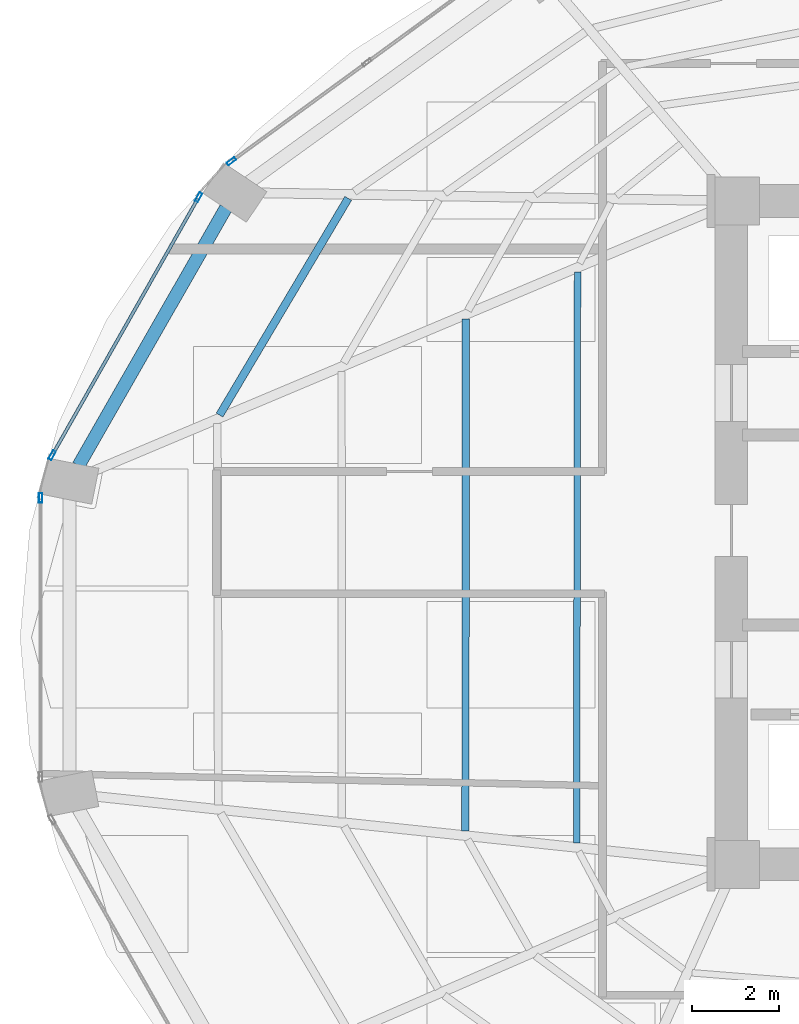
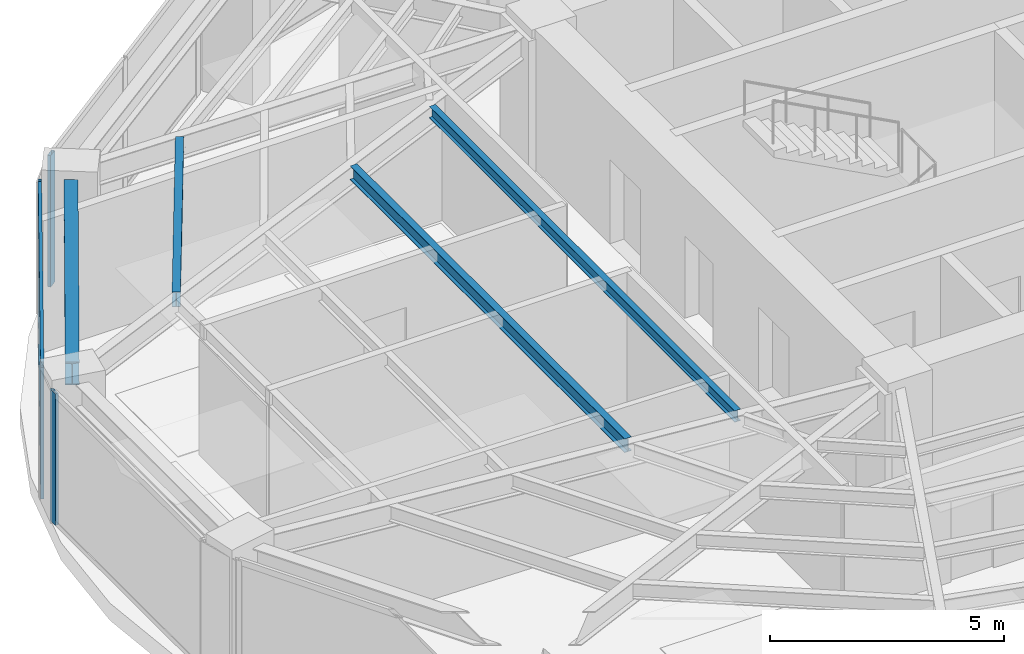
# One storey, part 8 of 23: 6 members, 4 beams, 3 elements without a shape of their own.
"""IFC4 building model written with IfcOpenShell, lengths in metres."""

from ifc_helpers import new_model, si_unit, direction, frame, origin, origin_2d, place, context, subcontext, project, spatial, hollow_rectangle, i_section, extrude, material, layer, layer_set, material_profile, profile_set, type_object, element, aggregate, save


model = new_model("IFC4")

# Units and contexts
model_context = context("Model", 3, precision=1e-05, world=origin(), true_north=direction((0.0, 1.0)))
body_context = subcontext(model_context, "Body", "Model", "MODEL_VIEW")
ifc_project = project(units=[si_unit("LENGTHUNIT", "METRE"), si_unit("AREAUNIT", "SQUARE_METRE"), si_unit("VOLUMEUNIT", "CUBIC_METRE"), si_unit("PLANEANGLEUNIT", "RADIAN"), si_unit("MASSUNIT", "GRAM", prefix="KILO")], contexts=[model_context])

# Site, building, storey
site_placement = place(None, origin())
site = spatial("IfcSite", under=ifc_project, at=site_placement, CompositionType="ELEMENT")
building_placement = place(site_placement, origin())
building = spatial("IfcBuilding", under=site, at=building_placement, Name="Lazwardi Medical Tower", CompositionType="ELEMENT")
storey_placement = place(building_placement, frame((0.0, 0.0, 81.743896484375)))
storey = spatial("IfcBuildingStorey", under=building, at=storey_placement, Name="L20", CompositionType="ELEMENT", Elevation=81.743896484375)

# Beams
ifc_material_1 = material(Name="Steel S355", Category="steel")
ifc_material_profile_1 = material_profile(ifc_material_1, i_section(OverallWidth=0.300048828125, OverallDepth=0.60009765625, WebThickness=0.015380859375, FlangeThickness=0.030029296875, at=origin_2d()), Name="HEB 600")
ifc_profile_set_1 = profile_set([ifc_material_profile_1], Name="Steel S355")
beam_type_1 = type_object("IfcBeamType", Name="BM-RB-Z2", PredefinedType="BEAM", material=ifc_profile_set_1)
beam_1_placement = place(storey_placement, frame((14.718505859375, 35.438720703125, 3.128173828125), z_axis=(-0.496653025517, -0.867949176072, 0.0), x_axis=(0.867949176072, -0.496653025517, 0.0)))
element("IfcBeam", 1, at=beam_1_placement, inside=storey, type_object=beam_type_1, Name="Ring beam RB-03 B11 L20", PredefinedType="BEAM", context=body_context, shape_type="SweptSolid", body=[
    extrude(i_section(OverallWidth=0.300048828125, OverallDepth=0.60009765625, WebThickness=0.015380859375, FlangeThickness=0.030029296875, at=origin_2d()), origin(), (0.0, 0.0, 1.0), 6.80078125),
])
ifc_material_profile_2 = material_profile(ifc_material_1, i_section(OverallWidth=0.179931640625, OverallDepth=0.39990234375, WebThickness=0.008544921875, FlangeThickness=0.013427734375, at=origin_2d()), Name="IPE 400")
ifc_profile_set_2 = profile_set([ifc_material_profile_2], Name="Steel S355")
beam_type_2 = type_object("IfcBeamType", Name="BM-SJ-01", PredefinedType="JOIST", material=ifc_profile_set_2)
beam_2_placement = place(storey_placement, frame((17.52099609375, 35.659423828125, 3.22802734375), z_axis=(-0.510499691073, -0.859877936346, 0.0), x_axis=(0.859877936346, -0.510499691073, 0.0)))
element("IfcBeam", 2, at=beam_2_placement, inside=storey, type_object=beam_type_2, Name="Secondary joist SJ-01 R1 B11 L20", PredefinedType="JOIST", context=body_context, shape_type="SweptSolid", body=[
    extrude(i_section(OverallWidth=0.179931640625, OverallDepth=0.39990234375, WebThickness=0.008544921875, FlangeThickness=0.013427734375, at=origin_2d()), origin(), (0.0, 0.0, 1.0), 5.776123046875),
])
ifc_material_profile_3 = material_profile(ifc_material_1, i_section(OverallWidth=0.169921875, OverallDepth=0.360107421875, WebThickness=0.008056640625, FlangeThickness=0.0126953125, at=origin_2d()), Name="IPE 360")
ifc_profile_set_3 = profile_set([ifc_material_profile_3], Name="Steel S355")
beam_type_3 = type_object("IfcBeamType", Name="BM-SJ-02", PredefinedType="JOIST", material=ifc_profile_set_3)
beam_3_placement = place(storey_placement, frame((20.212890625, 32.892578125, 3.248046875), z_axis=(-0.000561961365, -0.9999998421, 0.0), x_axis=(0.9999998421, -0.000561961365, 0.0)))
element("IfcBeam", 3, at=beam_3_placement, inside=storey, type_object=beam_type_3, Name="Secondary joist SJ-02 R3 B12 L20", PredefinedType="JOIST", context=body_context, shape_type="SweptSolid", body=[
    extrude(i_section(OverallWidth=0.169921875, OverallDepth=0.360107421875, WebThickness=0.008056640625, FlangeThickness=0.0126953125, at=origin_2d()), origin(), (0.0, 0.0, 1.0), 11.72998046875),
])
ifc_material_profile_4 = material_profile(ifc_material_1, i_section(OverallWidth=0.14990234375, OverallDepth=0.300048828125, WebThickness=0.007080078125, FlangeThickness=0.0107421875, at=origin_2d()), Name="IPE 300")
ifc_profile_set_4 = profile_set([ifc_material_profile_4], Name="Steel S355")
beam_type_4 = type_object("IfcBeamType", Name="BM-SJ-03", PredefinedType="JOIST", material=ifc_profile_set_4)
beam_4_placement = place(storey_placement, frame((22.77490234375, 33.97021484375, 3.278076171875), z_axis=(-0.00156809843, -0.999998770533, 0.0), x_axis=(0.999998770533, -0.00156809843, 0.0)))
element("IfcBeam", 4, at=beam_4_placement, inside=storey, type_object=beam_type_4, Name="Secondary joist SJ-03 R4 B12 L20", PredefinedType="JOIST", context=body_context, shape_type="SweptSolid", body=[
    extrude(i_section(OverallWidth=0.14990234375, OverallDepth=0.300048828125, WebThickness=0.007080078125, FlangeThickness=0.0107421875, at=origin_2d()), origin(), (0.0, 0.0, 1.0), 13.078125),
])

# Curtain wall, member
ifc_material_2 = material(Name="Anodised bronze aluminium and solar control glazing", Category="aluminium")
ifc_layer = layer(ifc_material_2, 0.195068359375)
ifc_layer_set = layer_set([ifc_layer], Name="Anodised bronze aluminium and solar control glazing")
curtain_wall_type = type_object("IfcCurtainWallType", Name="CW-SYS-03", PredefinedType="NOTDEFINED", material=ifc_layer_set)
curtain_wall_1_placement = place(storey_placement, origin())
curtain_wall_1 = element("IfcCurtainWall", 5, at=curtain_wall_1_placement, inside=storey, type_object=curtain_wall_type, Name="L20 Unitised bronze curtain wall CW-03", PredefinedType="NOTDEFINED")
ifc_material_3 = material(Name="Anodised bronze aluminium", Category="aluminium")
ifc_material_profile_5 = material_profile(ifc_material_3, hollow_rectangle(XDim=0.074951171875, YDim=0.219970703125, WallThickness=0.00390625, at=origin_2d()), Name="ALU-MULLION 220x75x4")
ifc_profile_set_5 = profile_set([ifc_material_profile_5], Name="Anodised bronze aluminium")
member_type_1 = type_object("IfcMemberType", Name="CW-MUL-01", PredefinedType="MULLION", material=ifc_profile_set_5)
member_1_placement = place(storey_placement, frame((14.844970703125, 36.5087890625, 0.0), z_axis=(0.0, 0.0, 1.0), x_axis=(0.589530882802, -0.807745837639, 0.0)))
member_1 = element("IfcMember", 6, at=member_1_placement, type_object=member_type_1, Name="CW-03 mullion 3", PredefinedType="MULLION", context=body_context, shape_type="SweptSolid", body=[
    extrude(hollow_rectangle(XDim=0.074951171875, YDim=0.219970703125, WallThickness=0.00390625, at=origin_2d()), origin(), (0.0, 0.0, 1.0), 3.42822265625),
])
aggregate(curtain_wall_1, [member_1])

# Curtain wall, members
curtain_wall_2_placement = place(storey_placement, origin())
curtain_wall_2 = element("IfcCurtainWall", 7, at=curtain_wall_2_placement, inside=storey, type_object=curtain_wall_type, Name="L20 Unitised bronze curtain wall CW-03", PredefinedType="NOTDEFINED")
member_2_placement = place(storey_placement, frame((14.0927734375, 35.685791015625, 0.0), z_axis=(0.0, 0.0, 1.0), x_axis=(0.869687265712, -0.493603140041, 0.0)))
member_2 = element("IfcMember", 8, at=member_2_placement, type_object=member_type_1, Name="CW-03 mullion 1", PredefinedType="MULLION", context=body_context, shape_type="SweptSolid", body=[
    extrude(hollow_rectangle(XDim=0.074951171875, YDim=0.219970703125, WallThickness=0.00390625, at=origin_2d()), origin(), (0.0, 0.0, 1.0), 3.42822265625),
])
member_3_placement = place(storey_placement, frame((10.7373046875, 29.77392578125, 0.0), z_axis=(0.0, 0.0, 1.0), x_axis=(0.869687265712, -0.493603140041, 0.0)))
member_3 = element("IfcMember", 9, at=member_3_placement, type_object=member_type_1, Name="CW-03 mullion 2", PredefinedType="MULLION", context=body_context, shape_type="SweptSolid", body=[
    extrude(hollow_rectangle(XDim=0.074951171875, YDim=0.219970703125, WallThickness=0.00390625, at=origin_2d()), origin(), (0.0, 0.0, 1.0), 3.42822265625),
])

# Curtain wall, member
curtain_wall_3_placement = place(storey_placement, origin())
curtain_wall_3 = element("IfcCurtainWall", 10, at=curtain_wall_3_placement, inside=storey, type_object=curtain_wall_type, Name="L20 Unitised bronze curtain wall CW-03", PredefinedType="NOTDEFINED")
member_4_placement = place(storey_placement, frame((10.471923828125, 28.79736328125, 0.0), z_axis=(0.0, 0.0, 1.0), x_axis=(1.0, 0.0, 0.0)))
member_4 = element("IfcMember", 11, at=member_4_placement, type_object=member_type_1, Name="CW-03 mullion 1", PredefinedType="MULLION", context=body_context, shape_type="SweptSolid", body=[
    extrude(hollow_rectangle(XDim=0.074951171875, YDim=0.219970703125, WallThickness=0.00390625, at=origin_2d()), origin(), (0.0, 0.0, 1.0), 3.42822265625),
])
aggregate(curtain_wall_3, [member_4])

# Member
ifc_material_profile_6 = material_profile(ifc_material_3, hollow_rectangle(XDim=0.074951171875, YDim=0.159912109375, WallThickness=0.00390625, at=origin_2d()), Name="ALU-TRANSOM 160x75x4")
ifc_profile_set_6 = profile_set([ifc_material_profile_6], Name="Anodised bronze aluminium")
member_type_2 = type_object("IfcMemberType", Name="CW-TRN-01", PredefinedType="USERDEFINED", material=ifc_profile_set_6)
member_5_placement = place(storey_placement, frame((14.074462890625, 35.6533203125, 0.03759765625), z_axis=(-0.493614427365, -0.869680859337, 0.0), x_axis=(0.869680859337, -0.493614427365, 0.0)))
member_5 = element("IfcMember", 12, at=member_5_placement, type_object=member_type_2, Name="CW-03 transom 1.1", ObjectType="TRANSOM", PredefinedType="USERDEFINED", context=body_context, shape_type="SweptSolid", body=[
    extrude(hollow_rectangle(XDim=0.074951171875, YDim=0.159912109375, WallThickness=0.00390625, at=origin_2d()), origin(), (0.0, 0.0, 1.0), 6.72314453125),
])

member_6_placement = place(storey_placement, frame((14.074462890625, 35.6533203125, 3.390625), z_axis=(-0.493614427365, -0.869680859337, 0.0), x_axis=(0.869680859337, -0.493614427365, 0.0)))
member_6 = element("IfcMember", 13, at=member_6_placement, type_object=member_type_2, Name="CW-03 transom 1.2", ObjectType="TRANSOM", PredefinedType="USERDEFINED", context=body_context, shape_type="SweptSolid", body=[
    extrude(hollow_rectangle(XDim=0.074951171875, YDim=0.159912109375, WallThickness=0.00390625, at=origin_2d()), origin(), (0.0, 0.0, 1.0), 6.72314453125),
])

aggregate(curtain_wall_2, [member_2, member_3, member_5, member_6])

save(model, "model.ifc")
